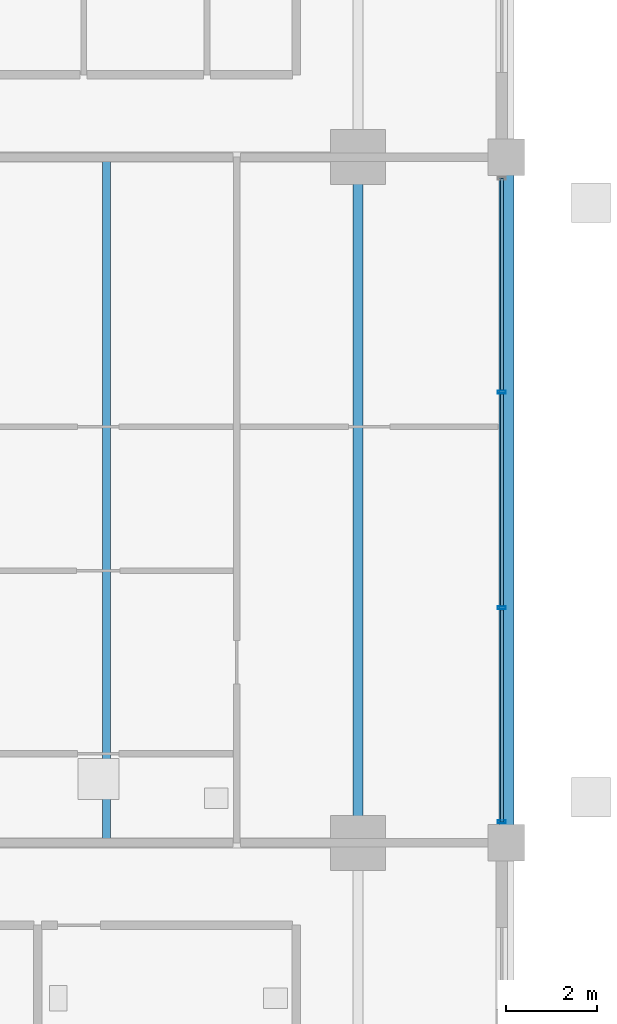
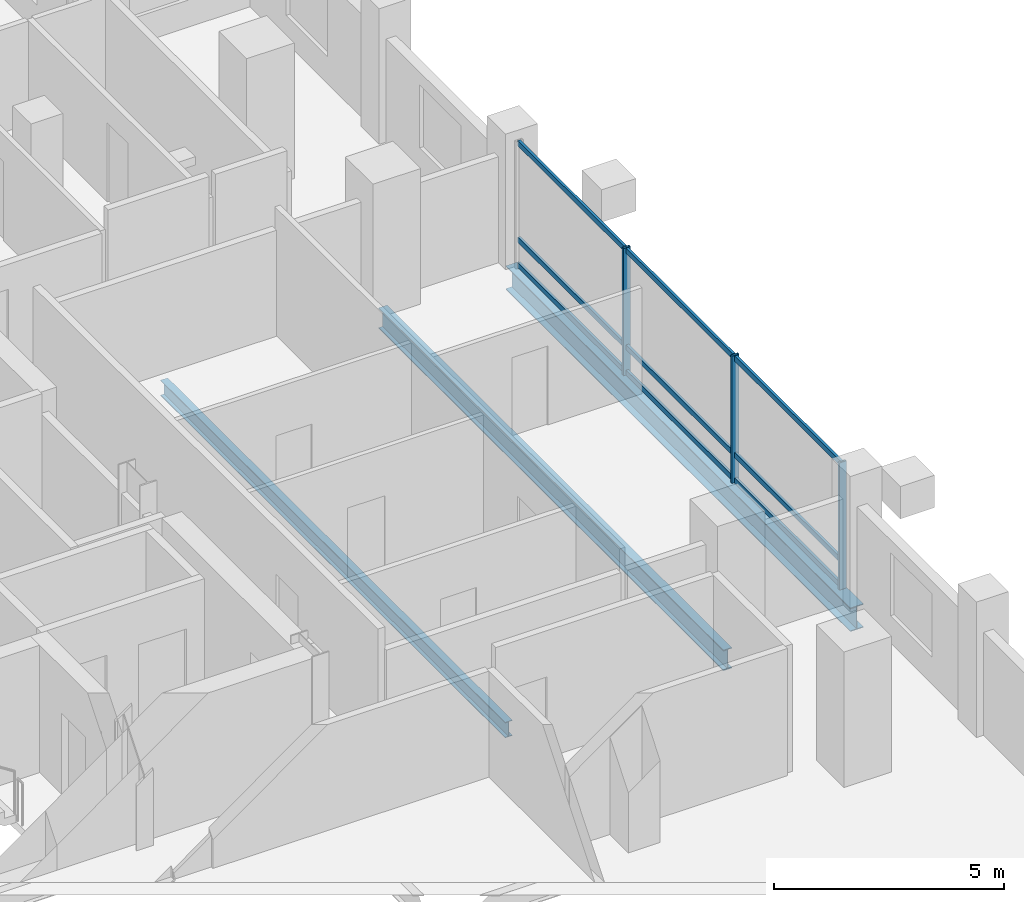
# One storey, part 7 of 19: 12 members, 3 beams, 1 element without a shape of its own.
"""IFC4 building model written with IfcOpenShell, lengths in metres."""

from ifc_helpers import new_model, si_unit, direction, frame, origin, origin_2d, place, context, subcontext, project, spatial, hollow_rectangle, i_section, extrude, material, layer, layer_set, material_profile, profile_set, type_object, element, aggregate, save


model = new_model("IFC4")

# Units and contexts
model_context = context("Model", 3, precision=1e-05, world=origin(), true_north=direction((0.0, 1.0)))
body_context = subcontext(model_context, "Body", "Model", "MODEL_VIEW")
ifc_project = project(units=[si_unit("LENGTHUNIT", "METRE"), si_unit("AREAUNIT", "SQUARE_METRE"), si_unit("VOLUMEUNIT", "CUBIC_METRE"), si_unit("PLANEANGLEUNIT", "RADIAN"), si_unit("MASSUNIT", "GRAM", prefix="KILO")], contexts=[model_context])

# Site, building, storey
site_placement = place(None, origin())
site = spatial("IfcSite", under=ifc_project, at=site_placement, CompositionType="ELEMENT")
building_placement = place(site_placement, origin())
building = spatial("IfcBuilding", under=site, at=building_placement, Name="Barlavira Tower and Art Museum", CompositionType="ELEMENT")
storey_placement = place(building_placement, frame((0.0, 0.0, 113.39990234375)))
storey = spatial("IfcBuildingStorey", under=building, at=storey_placement, Name="L28", CompositionType="ELEMENT", Elevation=113.39990234375)

# Curtain wall, members
ifc_material_1 = material(Name="Low-iron coastal laminated glass", Category="glass")
ifc_layer = layer(ifc_material_1, 0.18994140625, Name="Low-iron coastal laminated glass")
ifc_layer_set = layer_set([ifc_layer], Name="Low-iron coastal laminated glass")
curtain_wall_type = type_object("IfcCurtainWallType", Name="Pale-Metal Unitised Curtain Wall Zone 2", PredefinedType="NOTDEFINED", material=ifc_layer_set)
curtain_wall_placement = place(storey_placement, origin())
curtain_wall = element("IfcCurtainWall", 1, at=curtain_wall_placement, inside=storey, type_object=curtain_wall_type, Name="L28 Curtain Wall CW2-L28-E-B3", PredefinedType="NOTDEFINED")
ifc_material_2 = material(Name="Pale anodised aluminium", Category="aluminium")
ifc_material_profile_1 = material_profile(ifc_material_2, hollow_rectangle(XDim=0.06494140625, YDim=0.179931640625, WallThickness=0.00390625, at=origin_2d()), Name="ALU-MULL 65x180x4")
ifc_profile_set_1 = profile_set([ifc_material_profile_1], Name="Pale anodised aluminium")
member_type_1 = type_object("IfcMemberType", Name="Curtain Wall Pale-Metal Mullion 65x180", PredefinedType="MULLION", material=ifc_profile_set_1)
member_1_placement = place(storey_placement, frame((20.14990234375, -7.034912109375, 0.0), z_axis=(0.0, 0.0, 1.0), x_axis=(0.0, 1.0, 0.0)))
member_1 = element("IfcMember", 2, at=member_1_placement, type_object=member_type_1, Name="CW2-L28-E-B3 Mullion 0", PredefinedType="MULLION", context=body_context, shape_type="SweptSolid", body=[
    extrude(hollow_rectangle(XDim=0.06494140625, YDim=0.179931640625, WallThickness=0.00390625, at=origin_2d()), origin(), (0.0, 0.0, 1.0), 3.380126953125),
])
member_2_placement = place(storey_placement, frame((20.14990234375, -2.360107421875, 0.0), z_axis=(0.0, 0.0, 1.0), x_axis=(0.0, 1.0, 0.0)))
member_2 = element("IfcMember", 3, at=member_2_placement, type_object=member_type_1, Name="CW2-L28-E-B3 Mullion 1", PredefinedType="MULLION", context=body_context, shape_type="SweptSolid", body=[
    extrude(hollow_rectangle(XDim=0.06494140625, YDim=0.179931640625, WallThickness=0.00390625, at=origin_2d()), origin(), (0.0, 0.0, 1.0), 3.380126953125),
])
member_3_placement = place(storey_placement, frame((20.14990234375, 2.360107421875, 0.0), z_axis=(0.0, 0.0, 1.0), x_axis=(0.0, 1.0, 0.0)))
member_3 = element("IfcMember", 4, at=member_3_placement, type_object=member_type_1, Name="CW2-L28-E-B3 Mullion 2", PredefinedType="MULLION", context=body_context, shape_type="SweptSolid", body=[
    extrude(hollow_rectangle(XDim=0.06494140625, YDim=0.179931640625, WallThickness=0.00390625, at=origin_2d()), origin(), (0.0, 0.0, 1.0), 3.380126953125),
])
ifc_material_profile_2 = material_profile(ifc_material_2, hollow_rectangle(XDim=0.06494140625, YDim=0.139892578125, WallThickness=0.00390625, at=origin_2d()), Name="ALU-TRAN 65x140x4")
ifc_profile_set_2 = profile_set([ifc_material_profile_2], Name="Pale anodised aluminium")
member_type_2 = type_object("IfcMemberType", Name="Curtain Wall Pale-Metal Transom 65x140", PredefinedType="USERDEFINED", material=ifc_profile_set_2)
member_4_placement = place(storey_placement, frame((20.14990234375, -7.034912109375, 0.070068359375), z_axis=(0.0, 1.0, 0.0), x_axis=(-1.0, 0.0, 0.0)))
member_4 = element("IfcMember", 5, at=member_4_placement, type_object=member_type_2, Name="CW2-L28-E-B3 Transom 0.1", ObjectType="TRANSOM", PredefinedType="USERDEFINED", context=body_context, shape_type="SweptSolid", body=[
    extrude(hollow_rectangle(XDim=0.06494140625, YDim=0.139892578125, WallThickness=0.00390625, at=origin_2d()), origin(), (0.0, 0.0, 1.0), 4.6298828125),
])
member_5_placement = place(storey_placement, frame((20.14990234375, -7.034912109375, 0.744140625), z_axis=(0.0, 1.0, 0.0), x_axis=(-1.0, 0.0, 0.0)))
member_5 = element("IfcMember", 6, at=member_5_placement, type_object=member_type_2, Name="CW2-L28-E-B3 Transom 0.2", ObjectType="TRANSOM", PredefinedType="USERDEFINED", context=body_context, shape_type="SweptSolid", body=[
    extrude(hollow_rectangle(XDim=0.06494140625, YDim=0.139892578125, WallThickness=0.00390625, at=origin_2d()), origin(), (0.0, 0.0, 1.0), 4.6298828125),
])
member_6_placement = place(storey_placement, frame((20.14990234375, -7.034912109375, 3.31005859375), z_axis=(0.0, 1.0, 0.0), x_axis=(-1.0, 0.0, 0.0)))
member_6 = element("IfcMember", 7, at=member_6_placement, type_object=member_type_2, Name="CW2-L28-E-B3 Transom 0.3", ObjectType="TRANSOM", PredefinedType="USERDEFINED", context=body_context, shape_type="SweptSolid", body=[
    extrude(hollow_rectangle(XDim=0.06494140625, YDim=0.139892578125, WallThickness=0.00390625, at=origin_2d()), origin(), (0.0, 0.0, 1.0), 4.6298828125),
])
member_7_placement = place(storey_placement, frame((20.14990234375, -2.31494140625, 0.070068359375), z_axis=(0.0, 1.0, 0.0), x_axis=(-1.0, 0.0, 0.0)))
member_7 = element("IfcMember", 8, at=member_7_placement, type_object=member_type_2, Name="CW2-L28-E-B3 Transom 1.1", ObjectType="TRANSOM", PredefinedType="USERDEFINED", context=body_context, shape_type="SweptSolid", body=[
    extrude(hollow_rectangle(XDim=0.06494140625, YDim=0.139892578125, WallThickness=0.00390625, at=origin_2d()), origin(), (0.0, 0.0, 1.0), 4.6298828125),
])
member_8_placement = place(storey_placement, frame((20.14990234375, -2.31494140625, 0.744140625), z_axis=(0.0, 1.0, 0.0), x_axis=(-1.0, 0.0, 0.0)))
member_8 = element("IfcMember", 9, at=member_8_placement, type_object=member_type_2, Name="CW2-L28-E-B3 Transom 1.2", ObjectType="TRANSOM", PredefinedType="USERDEFINED", context=body_context, shape_type="SweptSolid", body=[
    extrude(hollow_rectangle(XDim=0.06494140625, YDim=0.139892578125, WallThickness=0.00390625, at=origin_2d()), origin(), (0.0, 0.0, 1.0), 4.6298828125),
])
member_9_placement = place(storey_placement, frame((20.14990234375, -2.31494140625, 3.31005859375), z_axis=(0.0, 1.0, 0.0), x_axis=(-1.0, 0.0, 0.0)))
member_9 = element("IfcMember", 10, at=member_9_placement, type_object=member_type_2, Name="CW2-L28-E-B3 Transom 1.3", ObjectType="TRANSOM", PredefinedType="USERDEFINED", context=body_context, shape_type="SweptSolid", body=[
    extrude(hollow_rectangle(XDim=0.06494140625, YDim=0.139892578125, WallThickness=0.00390625, at=origin_2d()), origin(), (0.0, 0.0, 1.0), 4.6298828125),
])
member_10_placement = place(storey_placement, frame((20.14990234375, 2.405029296875, 0.070068359375), z_axis=(0.0, 1.0, 0.0), x_axis=(-1.0, 0.0, 0.0)))
member_10 = element("IfcMember", 11, at=member_10_placement, type_object=member_type_2, Name="CW2-L28-E-B3 Transom 2.1", ObjectType="TRANSOM", PredefinedType="USERDEFINED", context=body_context, shape_type="SweptSolid", body=[
    extrude(hollow_rectangle(XDim=0.06494140625, YDim=0.139892578125, WallThickness=0.00390625, at=origin_2d()), origin(), (0.0, 0.0, 1.0), 4.6298828125),
])
member_11_placement = place(storey_placement, frame((20.14990234375, 2.405029296875, 0.744140625), z_axis=(0.0, 1.0, 0.0), x_axis=(-1.0, 0.0, 0.0)))
member_11 = element("IfcMember", 12, at=member_11_placement, type_object=member_type_2, Name="CW2-L28-E-B3 Transom 2.2", ObjectType="TRANSOM", PredefinedType="USERDEFINED", context=body_context, shape_type="SweptSolid", body=[
    extrude(hollow_rectangle(XDim=0.06494140625, YDim=0.139892578125, WallThickness=0.00390625, at=origin_2d()), origin(), (0.0, 0.0, 1.0), 4.6298828125),
])
member_12_placement = place(storey_placement, frame((20.14990234375, 2.405029296875, 3.31005859375), z_axis=(0.0, 1.0, 0.0), x_axis=(-1.0, 0.0, 0.0)))
member_12 = element("IfcMember", 13, at=member_12_placement, type_object=member_type_2, Name="CW2-L28-E-B3 Transom 2.3", ObjectType="TRANSOM", PredefinedType="USERDEFINED", context=body_context, shape_type="SweptSolid", body=[
    extrude(hollow_rectangle(XDim=0.06494140625, YDim=0.139892578125, WallThickness=0.00390625, at=origin_2d()), origin(), (0.0, 0.0, 1.0), 4.6298828125),
])
aggregate(curtain_wall, [member_1, member_2, member_3, member_4, member_5, member_6, member_7, member_8, member_9, member_10, member_11, member_12])

# Beams
ifc_material_3 = material(Name="Steel S355", Category="steel")
ifc_material_profile_3 = material_profile(ifc_material_3, i_section(OverallWidth=0.327880859375, OverallDepth=0.62890625, WebThickness=0.013916015625, FlangeThickness=0.021484375, at=origin_2d()), Name="W610x174.0")
ifc_profile_set_3 = profile_set([ifc_material_profile_3], Name="Steel S355")
beam_type_1 = type_object("IfcBeamType", Name="Perimeter Spandrel Edge Beam W610x174 Steel S355", PredefinedType="SPANDREL", material=ifc_profile_set_3)
beam_1_placement = place(storey_placement, frame((20.25, -7.5, -0.534423828125), z_axis=(0.0, 1.0, 0.0), x_axis=(-1.0, 0.0, 0.0)))
element("IfcBeam", 14, at=beam_1_placement, inside=storey, type_object=beam_type_1, Name="L28 Spandrel 6", PredefinedType="SPANDREL", context=body_context, shape_type="SweptSolid", body=[
    extrude(i_section(OverallWidth=0.327880859375, OverallDepth=0.62890625, WebThickness=0.013916015625, FlangeThickness=0.021484375, at=origin_2d()), origin(), (0.0, 0.0, 1.0), 15.0),
])
ifc_material_profile_4 = material_profile(ifc_material_3, i_section(OverallWidth=0.214111328125, OverallDepth=0.549072265625, WebThickness=0.0146484375, FlangeThickness=0.023681640625, at=origin_2d()), Name="W530x138.0")
ifc_profile_set_4 = profile_set([ifc_material_profile_4], Name="Steel S355")
beam_type_2 = type_object("IfcBeamType", Name="Zone 1 Primary Floor Girder W530x138 Steel S355", PredefinedType="BEAM", material=ifc_profile_set_4)
beam_2_placement = place(storey_placement, frame((17.0, -7.5, -0.494384765625), z_axis=(0.0, 1.0, 0.0), x_axis=(-1.0, 0.0, 0.0)))
element("IfcBeam", 15, at=beam_2_placement, inside=storey, type_object=beam_type_2, Name="L28 Girder M-E2", PredefinedType="BEAM", context=body_context, shape_type="SweptSolid", body=[
    extrude(i_section(OverallWidth=0.214111328125, OverallDepth=0.549072265625, WebThickness=0.0146484375, FlangeThickness=0.023681640625, at=origin_2d()), origin(), (0.0, 0.0, 1.0), 15.0),
])
ifc_material_profile_5 = material_profile(ifc_material_3, i_section(OverallWidth=0.179931640625, OverallDepth=0.4130859375, WebThickness=0.009765625, FlangeThickness=0.01611328125, at=origin_2d()), Name="W410x75.0")
ifc_profile_set_5 = profile_set([ifc_material_profile_5], Name="Steel S355")
beam_type_3 = type_object("IfcBeamType", Name="Zone 2 Composite Floor Joist W410x75 Steel S355", PredefinedType="JOIST", material=ifc_profile_set_5)
beam_3_placement = place(storey_placement, frame((11.5, -7.5, -0.426513671875), z_axis=(0.0, 1.0, 0.0), x_axis=(-1.0, 0.0, 0.0)))
element("IfcBeam", 16, at=beam_3_placement, inside=storey, type_object=beam_type_3, Name="L28 Joist W2", PredefinedType="JOIST", context=body_context, shape_type="SweptSolid", body=[
    extrude(i_section(OverallWidth=0.179931640625, OverallDepth=0.4130859375, WebThickness=0.009765625, FlangeThickness=0.01611328125, at=origin_2d()), origin(), (0.0, 0.0, 1.0), 15.0),
])

save(model, "model.ifc")
